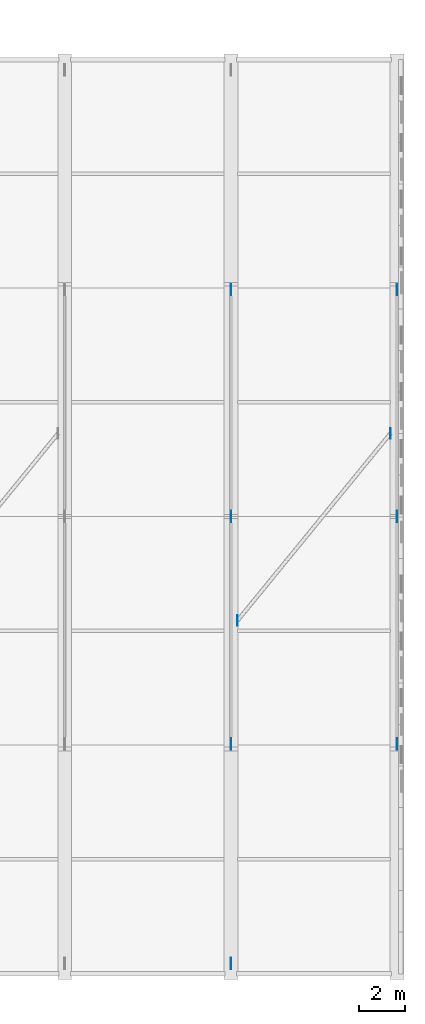
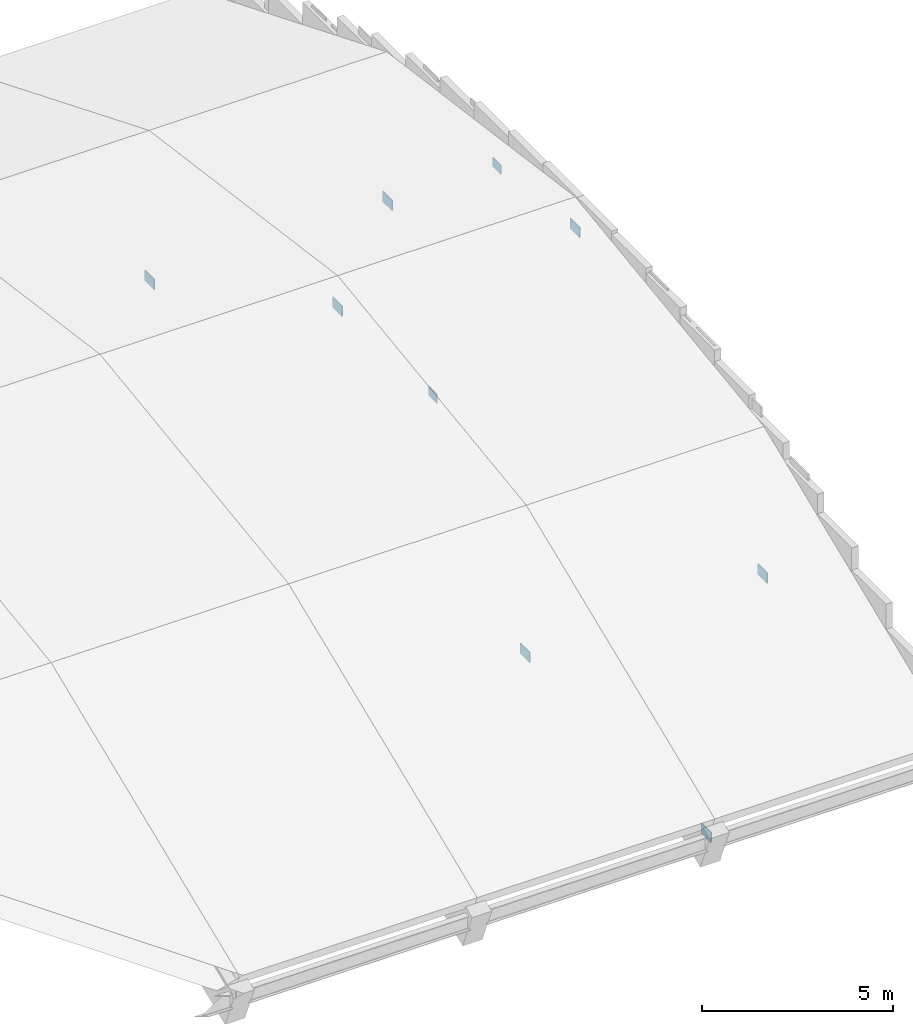
# One storey, part 17 of 22: 9 plates.
"""IFC4 building model written with IfcOpenShell, lengths in metres."""

from ifc_helpers import new_model, si_unit, direction, frame, origin, origin_2d, place, context, subcontext, project, spatial, rectangle, extrude, material, layer, layer_set, type_object, element, save


model = new_model("IFC4")

# Units and contexts
model_context = context("Model", 3, precision=1e-05, world=origin(), true_north=direction((0.0, 1.0)))
body_context = subcontext(model_context, "Body", "Model", "MODEL_VIEW")
ifc_project = project(units=[si_unit("LENGTHUNIT", "METRE"), si_unit("AREAUNIT", "SQUARE_METRE"), si_unit("VOLUMEUNIT", "CUBIC_METRE"), si_unit("PLANEANGLEUNIT", "RADIAN"), si_unit("MASSUNIT", "GRAM", prefix="KILO")], contexts=[model_context])

# Site, building, storey
site_placement = place(None, origin())
site = spatial("IfcSite", under=ifc_project, at=site_placement, CompositionType="ELEMENT")
building_placement = place(site_placement, origin())
building = spatial("IfcBuilding", under=site, at=building_placement, Name="Lusvemor Sports Hall", CompositionType="ELEMENT")
storey_placement = place(building_placement, frame((0.0, 0.0, 23.39990234375)))
storey = spatial("IfcBuildingStorey", under=building, at=storey_placement, Name="Roof", CompositionType="ELEMENT", Elevation=23.39990234375)

# Plates
ifc_material_1 = material(Name="Steel S355", Category="steel")
ifc_layer_1 = layer(ifc_material_1, 0.030029296875)
ifc_layer_set_1 = layer_set([ifc_layer_1], Name="Steel S355")
plate_type_1 = type_object("IfcPlateType", Name="GUSSET_ARCH_B", PredefinedType="USERDEFINED", material=ifc_layer_set_1)
for number, where, z_axis, x_axis, name in (
    (1, (162.0, 0.43994140625, -2.474853515625), (0.0, 0.0, 1.0), (1.0, 0.0, 0.0), "East Arch Springing Gusset 19-S"),
    (2, (162.0, 9.949951171875, -2.474853515625), (0.0, 0.0, 1.0), (1.0, 0.0, 0.0), "East Arch Web Gusset 19-LF"),
    (3, (162.0, 29.64990234375, -2.474853515625), (0.0, 0.0, 1.0), (1.0, 0.0, 0.0), "East Arch Web Gusset 19-RF"),
    (4, (162.0, 19.800048828125, 2.64501953125), (0.0, 0.0, 1.0), (1.0, 0.0, 0.0), "East Arch Web Gusset 19-CR"),
    (5, (169.199951171875, 9.949951171875, -2.4599609375), (0.0, 0.0, 1.0), (1.0, 0.0, 0.0), "East Arch Web Gusset 20-LF"),
    (6, (169.199951171875, 29.64990234375, -2.4599609375), (0.0, 0.0, 1.0), (1.0, 0.0, 0.0), "East Arch Web Gusset 20-RF"),
    (7, (169.199951171875, 19.800048828125, 2.64501953125), (0.0, 0.0, 1.0), (1.0, 0.0, 0.0), "East Arch Web Gusset 20-CR"),
):
    element("IfcPlate", number, at=place(storey_placement, frame(where, z_axis=z_axis, x_axis=x_axis)), inside=storey, type_object=plate_type_1, Name=name, ObjectType="GUSSET_PLATE", PredefinedType="USERDEFINED", context=body_context, shape_type="SweptSolid", body=[
        extrude(rectangle(XDim=0.030029296875, YDim=0.5, at=origin_2d()), origin(), (0.0, 0.0, 1.0), 0.330078125),
    ])
ifc_material_2 = material(Name="Steel S355", Category="steel")
ifc_layer_2 = layer(ifc_material_2, 0.02001953125)
ifc_layer_set_2 = layer_set([ifc_layer_2], Name="Steel S355")
plate_type_2 = type_object("IfcPlateType", Name="GUSSET_BRACE_C", PredefinedType="USERDEFINED", material=ifc_layer_set_2)
for number, where, z_axis, x_axis, name in (
    (8, (162.2900390625, 15.300048828125, 2.466064453125), (0.0, 0.0, 1.0), (1.0, 0.0, 0.0), "East Vault Brace Gusset 19-0"),
    (9, (168.909912109375, 23.39990234375, 2.566650390625), (0.0, 0.0, 1.0), (1.0, 0.0, 0.0), "East Vault Brace Gusset 19-1"),
):
    element("IfcPlate", number, at=place(storey_placement, frame(where, z_axis=z_axis, x_axis=x_axis)), inside=storey, type_object=plate_type_2, Name=name, ObjectType="GUSSET_PLATE", PredefinedType="USERDEFINED", context=body_context, shape_type="SweptSolid", body=[
        extrude(rectangle(XDim=0.02001953125, YDim=0.43994140625, at=origin_2d()), origin(), (0.0, 0.0, 1.0), 0.2900390625),
    ])

save(model, "model.ifc")
